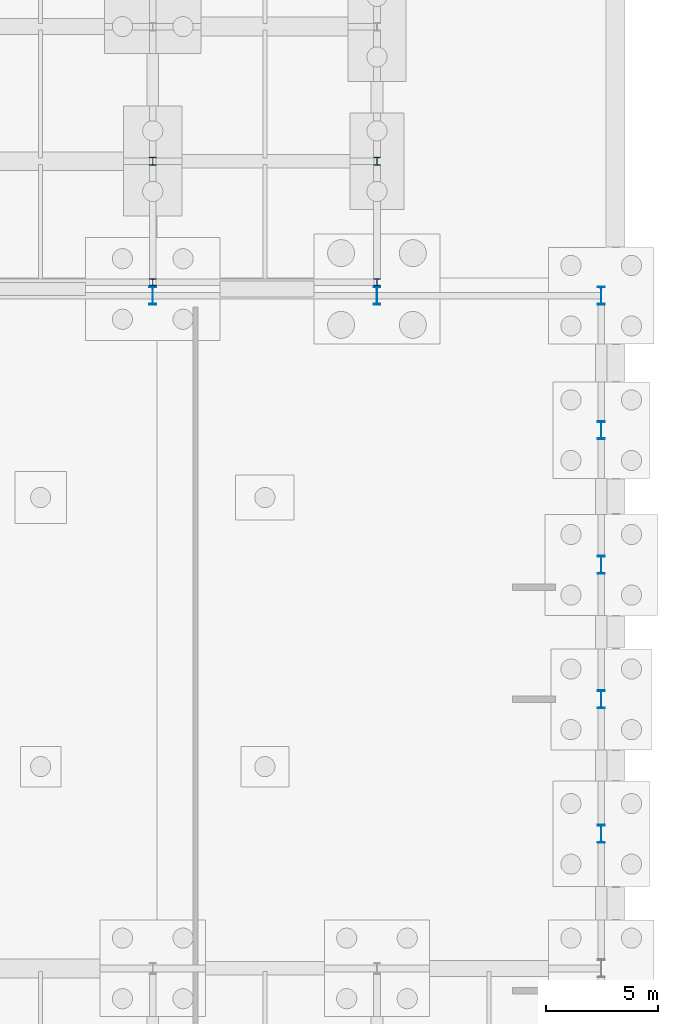
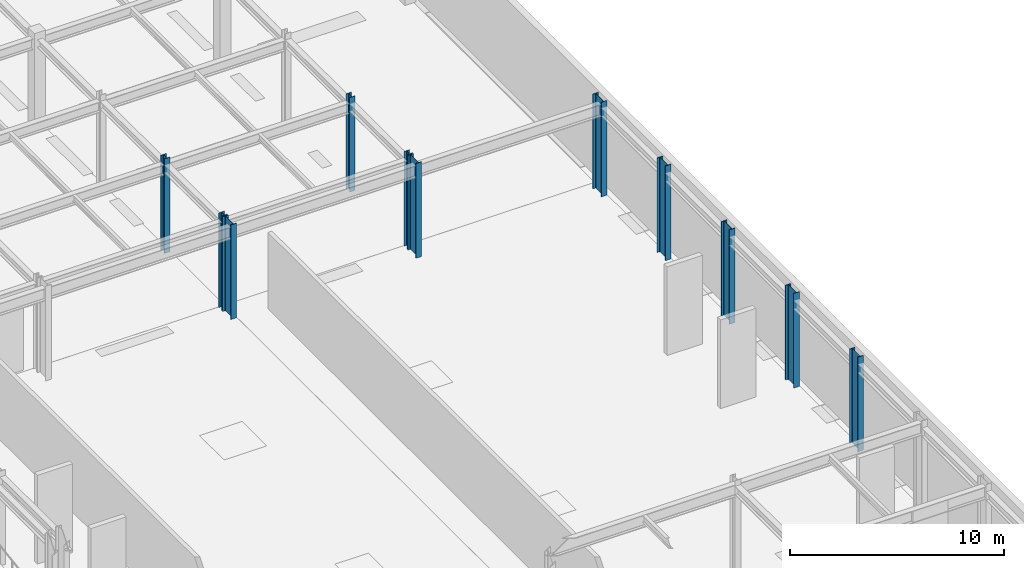
# One storey, part 31 of 65: 11 columns.
"""IFC4 building model written with IfcOpenShell, lengths in metres."""

from ifc_helpers import new_model, si_unit, direction, frame, origin, origin_2d, place, context, subcontext, project, spatial, i_section, extrude, material, material_profile, profile_set, type_object, element, save


model = new_model("IFC4")

# Units and contexts
model_context = context("Model", 3, precision=1e-05, world=origin(), true_north=direction((0.0, 1.0)))
body_context = subcontext(model_context, "Body", "Model", "MODEL_VIEW")
ifc_project = project(units=[si_unit("LENGTHUNIT", "METRE"), si_unit("AREAUNIT", "SQUARE_METRE"), si_unit("VOLUMEUNIT", "CUBIC_METRE"), si_unit("PLANEANGLEUNIT", "RADIAN"), si_unit("MASSUNIT", "GRAM", prefix="KILO")], contexts=[model_context])

# Site, building, storey
site_placement = place(None, origin())
site = spatial("IfcSite", under=ifc_project, at=site_placement, CompositionType="ELEMENT")
building_placement = place(site_placement, origin())
building = spatial("IfcBuilding", under=site, at=building_placement, Name="Kaldris Quays Convention Centre", CompositionType="ELEMENT")
storey_placement = place(building_placement, frame((0.0, 0.0, -5.39990234375)))
storey = spatial("IfcBuildingStorey", under=building, at=storey_placement, Name="B1", CompositionType="ELEMENT", Elevation=-5.39990234375)

# Columns
ifc_material = material(Name="Steel S355J2", Category="steel")
ifc_material_profile_1 = material_profile(ifc_material, i_section(OverallWidth=0.300048828125, OverallDepth=0.800048828125, WebThickness=0.017578125, FlangeThickness=0.032958984375, FilletRadius=0.030029296875, at=origin_2d()), Name="HEB 800")
ifc_profile_set_1 = profile_set([ifc_material_profile_1], Name="Steel S355J2")
column_type_1 = type_object("IfcColumnType", Name="STRUCTURAL COLUMN CL04", PredefinedType="COLUMN", material=ifc_profile_set_1)
for number, where, z_axis, x_axis, name in (
    (1, (184.0, 104.0, 0.0), (0.0, 0.0, 1.0), (1.0, 0.0, 0.0), "B1 V2 Column CL04 (184.00, 104.00)"),
    (2, (194.0, 104.0, 0.0), (0.0, 0.0, 1.0), (1.0, 0.0, 0.0), "B1 V2 Column CL04 (194.00, 104.00)"),
    (3, (204.0, 80.0, 0.0), (0.0, 0.0, 1.0), (1.0, 0.0, 0.0), "B1 V2 Column CL04 (204.00, 80.00)"),
    (4, (204.0, 86.0, 0.0), (0.0, 0.0, 1.0), (1.0, 0.0, 0.0), "B1 V2 Column CL04 (204.00, 86.00)"),
    (5, (204.0, 92.0, 0.0), (0.0, 0.0, 1.0), (1.0, 0.0, 0.0), "B1 V2 Column CL04 (204.00, 92.00)"),
    (6, (204.0, 98.0, 0.0), (0.0, 0.0, 1.0), (1.0, 0.0, 0.0), "B1 V2 Column CL04 (204.00, 98.00)"),
    (7, (204.0, 104.0, 0.0), (0.0, 0.0, 1.0), (1.0, 0.0, 0.0), "B1 V2 Column CL04 (204.00, 104.00)"),
):
    element("IfcColumn", number, at=place(storey_placement, frame(where, z_axis=z_axis, x_axis=x_axis)), inside=storey, type_object=column_type_1, Name=name, PredefinedType="COLUMN", context=body_context, shape_type="SweptSolid", body=[
        extrude(i_section(OverallWidth=0.300048828125, OverallDepth=0.800048828125, WebThickness=0.017578125, FlangeThickness=0.032958984375, FilletRadius=0.030029296875, at=origin_2d()), origin(), (0.0, 0.0, 1.0), 5.39990234375),
    ])
ifc_material_profile_2 = material_profile(ifc_material, i_section(OverallWidth=0.300048828125, OverallDepth=0.360107421875, WebThickness=0.012451171875, FlangeThickness=0.0224609375, FilletRadius=0.027099609375, at=origin_2d()), Name="HEB 360")
ifc_profile_set_2 = profile_set([ifc_material_profile_2], Name="Steel S355J2")
column_type_2 = type_object("IfcColumnType", Name="STRUCTURAL COLUMN CL10", PredefinedType="COLUMN", material=ifc_profile_set_2)
for number, where, z_axis, x_axis, name in (
    (8, (184.0, 110.0, 0.0), (0.0, 0.0, 1.0), (1.0, 0.0, 0.0), "B1 V4 Column CL10 (184.00, 110.00)"),
    (9, (194.0, 110.0, 0.0), (0.0, 0.0, 1.0), (1.0, 0.0, 0.0), "B1 V4 Column CL10 (194.00, 110.00)"),
):
    element("IfcColumn", number, at=place(storey_placement, frame(where, z_axis=z_axis, x_axis=x_axis)), inside=storey, type_object=column_type_2, Name=name, PredefinedType="COLUMN", context=body_context, shape_type="SweptSolid", body=[
        extrude(i_section(OverallWidth=0.300048828125, OverallDepth=0.360107421875, WebThickness=0.012451171875, FlangeThickness=0.0224609375, FilletRadius=0.027099609375, at=origin_2d()), origin(), (0.0, 0.0, 1.0), 5.39990234375),
    ])
ifc_material_profile_3 = material_profile(ifc_material, i_section(OverallWidth=0.300048828125, OverallDepth=0.300048828125, WebThickness=0.010986328125, FlangeThickness=0.01904296875, FilletRadius=0.027099609375, at=origin_2d()), Name="HEB 300")
ifc_profile_set_3 = profile_set([ifc_material_profile_3], Name="Steel S355J2")
column_type_3 = type_object("IfcColumnType", Name="STRUCTURAL COLUMN CL11", PredefinedType="COLUMN", material=ifc_profile_set_3)
for number, where, z_axis, x_axis, name in (
    (10, (184.0, 104.60009765625, 0.0), (0.0, 0.0, 1.0), (1.0, 0.0, 0.0), "B1 V4 Column CL11 (184.00, 104.60)"),
    (11, (194.0, 104.60009765625, 0.0), (0.0, 0.0, 1.0), (1.0, 0.0, 0.0), "B1 V4 Column CL11 (194.00, 104.60)"),
):
    element("IfcColumn", number, at=place(storey_placement, frame(where, z_axis=z_axis, x_axis=x_axis)), inside=storey, type_object=column_type_3, Name=name, PredefinedType="COLUMN", context=body_context, shape_type="SweptSolid", body=[
        extrude(i_section(OverallWidth=0.300048828125, OverallDepth=0.300048828125, WebThickness=0.010986328125, FlangeThickness=0.01904296875, FilletRadius=0.027099609375, at=origin_2d()), origin(), (0.0, 0.0, 1.0), 5.39990234375),
    ])

save(model, "model.ifc")
